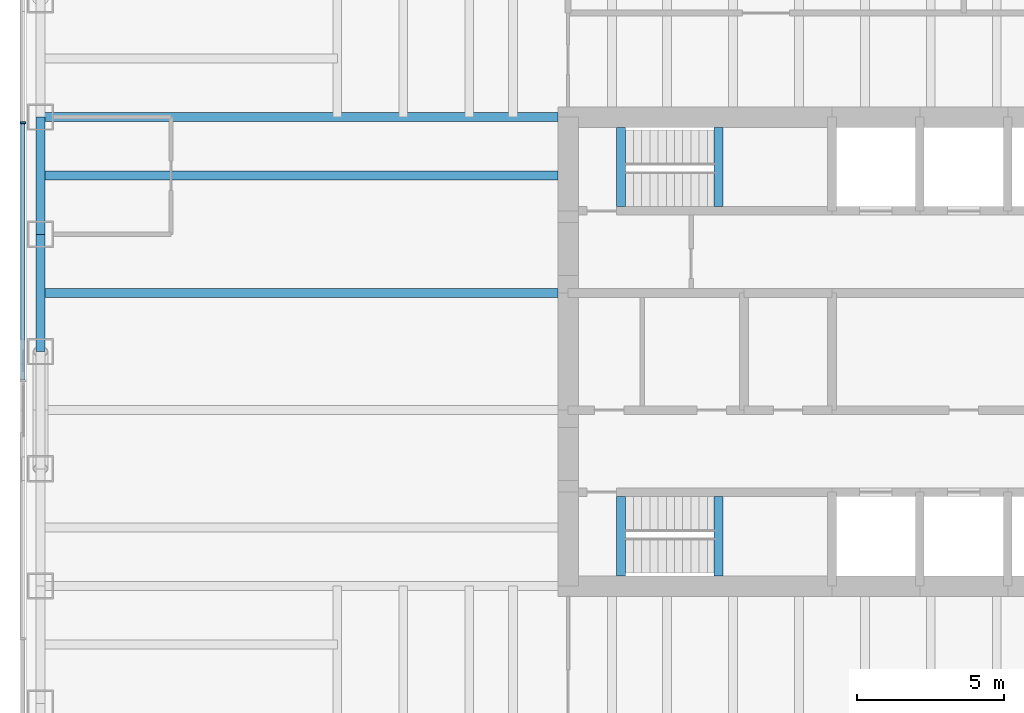
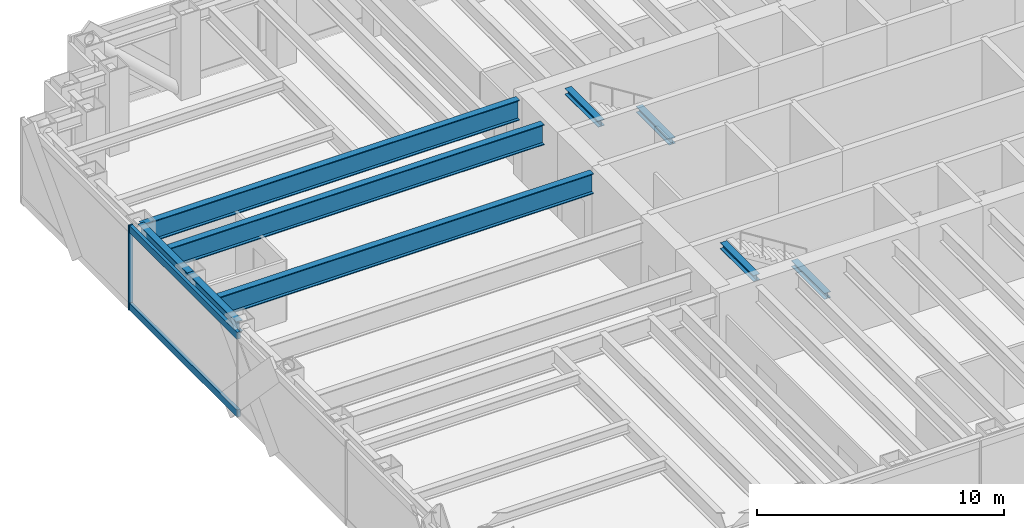
# One storey, part 3 of 15: 9 beams, 3 members, 1 element without a shape of its own.
"""IFC4 building model written with IfcOpenShell, lengths in metres."""

from ifc_helpers import new_model, si_unit, direction, frame, origin, origin_2d, place, context, subcontext, project, spatial, rectangle, i_section, extrude, material, material_profile, profile_set, type_object, element, aggregate, save


model = new_model("IFC4")

# Units and contexts
model_context = context("Model", 3, precision=1e-05, world=origin(), true_north=direction((0.0, 1.0)))
body_context = subcontext(model_context, "Body", "Model", "MODEL_VIEW")
ifc_project = project(units=[si_unit("LENGTHUNIT", "METRE"), si_unit("AREAUNIT", "SQUARE_METRE"), si_unit("VOLUMEUNIT", "CUBIC_METRE"), si_unit("PLANEANGLEUNIT", "RADIAN"), si_unit("MASSUNIT", "GRAM", prefix="KILO")], contexts=[model_context])

# Site, building, storey
site_placement = place(None, origin())
site = spatial("IfcSite", under=ifc_project, at=site_placement, CompositionType="ELEMENT")
building_placement = place(site_placement, origin())
building = spatial("IfcBuilding", under=site, at=building_placement, Name="Rheinbord Bourse Tower", CompositionType="ELEMENT")
storey_placement = place(building_placement, frame((0.0, 0.0, 329.89990234375)))
storey = spatial("IfcBuildingStorey", under=building, at=storey_placement, Name="L75", CompositionType="ELEMENT", Elevation=329.89990234375)

# Curtain wall, members
ifc_material_1 = material(Name="Dark glass and black aluminium", Category="aluminium")
curtain_wall_type = type_object("IfcCurtainWallType", Name="CW3 DARK GLASS CURTAIN WALL", PredefinedType="USERDEFINED", material=ifc_material_1)
curtain_wall_placement = place(storey_placement, origin())
curtain_wall = element("IfcCurtainWall", 1, at=curtain_wall_placement, inside=storey, type_object=curtain_wall_type, Name="Curtain wall CW3 W L75", ObjectType="UNITISED CURTAIN WALL", PredefinedType="USERDEFINED")
ifc_material_2 = material(Name="Black anodised aluminium", Category="aluminium")
ifc_material_profile_1 = material_profile(ifc_material_2, rectangle(XDim=0.199951171875, YDim=0.06494140625, at=origin_2d()), Name="CW3 MULLION 65x200")
ifc_profile_set_1 = profile_set([ifc_material_profile_1], Name="Black anodised aluminium")
member_type_1 = type_object("IfcMemberType", Name="CW3 BLACK MULLION", PredefinedType="MULLION", material=ifc_profile_set_1)
member_1_placement = place(storey_placement, frame((-0.60009765625, 31.800048828125, 0.0), z_axis=(0.0, 0.0, 1.0), x_axis=(1.0, 0.0, 0.0)))
member_1 = element("IfcMember", 2, at=member_1_placement, type_object=member_type_1, Name="CW3 mullion 2", PredefinedType="MULLION", context=body_context, shape_type="SweptSolid", body=[
    extrude(rectangle(XDim=0.199951171875, YDim=0.06494140625, at=origin_2d()), origin(), (0.0, 0.0, 1.0), 4.2001953125),
])
ifc_material_3 = material(Name="Black anodised aluminium", Category="aluminium")
ifc_material_profile_2 = material_profile(ifc_material_3, rectangle(XDim=0.14990234375, YDim=0.35009765625, at=origin_2d()), Name="CW3 TRANSOM 350x150")
ifc_profile_set_2 = profile_set([ifc_material_profile_2], Name="Black anodised aluminium")
member_type_2 = type_object("IfcMemberType", Name="CW3 BLACK TRANSOM", PredefinedType="USERDEFINED", material=ifc_profile_set_2)
member_2_placement = place(storey_placement, frame((-0.60009765625, 31.767578125, 0.175048828125), z_axis=(0.0, -1.0, 0.0), x_axis=(1.0, 0.0, 0.0)))
member_2 = element("IfcMember", 3, at=member_2_placement, type_object=member_type_2, Name="CW3 transom 2.1", ObjectType="TRANSOM", PredefinedType="USERDEFINED", context=body_context, shape_type="SweptSolid", body=[
    extrude(rectangle(XDim=0.14990234375, YDim=0.35009765625, at=origin_2d()), origin(), (0.0, 0.0, 1.0), 8.735107421875),
])
member_3_placement = place(storey_placement, frame((-0.60009765625, 31.767578125, 4.025146484375), z_axis=(0.0, -1.0, 0.0), x_axis=(1.0, 0.0, 0.0)))
member_3 = element("IfcMember", 4, at=member_3_placement, type_object=member_type_2, Name="CW3 transom 2.2", ObjectType="TRANSOM", PredefinedType="USERDEFINED", context=body_context, shape_type="SweptSolid", body=[
    extrude(rectangle(XDim=0.14990234375, YDim=0.35009765625, at=origin_2d()), origin(), (0.0, 0.0, 1.0), 8.735107421875),
])
aggregate(curtain_wall, [member_1, member_2, member_3])

# Beams
ifc_material_4 = material(Name="Steel S460", Category="steel")
ifc_material_profile_3 = material_profile(ifc_material_4, i_section(OverallWidth=0.302001953125, OverallDepth=1.008056640625, WebThickness=0.02099609375, FlangeThickness=0.0400390625, at=origin_2d()), Name="HEM 1000")
ifc_profile_set_3 = profile_set([ifc_material_profile_3], Name="Steel S460")
beam_type_1 = type_object("IfcBeamType", Name="END BEAM HEM 1000", PredefinedType="BEAM", material=ifc_profile_set_3)
for number, where, z_axis, x_axis, name in (
    (5, (0.0, 26.0, 3.446044921875), (1.0, 0.0, 0.0), (0.0, 1.0, 0.0), "End beam west 26 RF"),
    (6, (0.0, 30.0, 3.446044921875), (1.0, 0.0, 0.0), (0.0, 1.0, 0.0), "End beam west 30 RF"),
):
    element("IfcBeam", number, at=place(storey_placement, frame(where, z_axis=z_axis, x_axis=x_axis)), inside=storey, type_object=beam_type_1, Name=name, PredefinedType="BEAM", context=body_context, shape_type="SweptSolid", body=[
        extrude(i_section(OverallWidth=0.302001953125, OverallDepth=1.008056640625, WebThickness=0.02099609375, FlangeThickness=0.0400390625, at=origin_2d()), origin(), (0.0, 0.0, 1.0), 17.64990234375),
    ])
ifc_material_5 = material(Name="Steel S460", Category="steel")
ifc_material_profile_4 = material_profile(ifc_material_5, i_section(OverallWidth=0.302001953125, OverallDepth=1.008056640625, WebThickness=0.02099609375, FlangeThickness=0.0400390625, at=origin_2d()), Name="HEM 1000")
ifc_profile_set_4 = profile_set([ifc_material_profile_4], Name="Steel S460")
beam_type_2 = type_object("IfcBeamType", Name="GIRDER HEM 1000", PredefinedType="BEAM", material=ifc_profile_set_4)
beam_placement = place(storey_placement, frame((0.0, 32.0, 3.446044921875), z_axis=(1.0, 0.0, 0.0), x_axis=(0.0, 1.0, 0.0)))
element("IfcBeam", 7, at=beam_placement, inside=storey, type_object=beam_type_2, Name="Girder west 32 RF", PredefinedType="BEAM", context=body_context, shape_type="SweptSolid", body=[
    extrude(i_section(OverallWidth=0.302001953125, OverallDepth=1.008056640625, WebThickness=0.02099609375, FlangeThickness=0.0400390625, at=origin_2d()), origin(), (0.0, 0.0, 1.0), 17.64990234375),
])
ifc_material_6 = material(Name="Steel S460", Category="steel")
ifc_material_profile_5 = material_profile(ifc_material_6, i_section(OverallWidth=0.300048828125, OverallDepth=0.300048828125, WebThickness=0.010986328125, FlangeThickness=0.01904296875, at=origin_2d()), Name="HEB 300")
ifc_profile_set_5 = profile_set([ifc_material_profile_5], Name="Steel S460")
beam_type_3 = type_object("IfcBeamType", Name="LANDING TRIMMER HEB 300", PredefinedType="BEAM", material=ifc_profile_set_5)
for number, where, z_axis, x_axis, name in (
    (8, (23.1298828125, 16.35009765625, 1.75), (0.0, 1.0, 0.0), (-1.0, 0.0, 0.0), "Landing trimmer ST1 L75"),
    (9, (19.800048828125, 16.35009765625, 3.800048828125), (0.0, 1.0, 0.0), (-1.0, 0.0, 0.0), "Well trimmer ST1 under RF"),
    (10, (23.1298828125, 28.949951171875, 1.75), (0.0, 1.0, 0.0), (-1.0, 0.0, 0.0), "Landing trimmer ST2 L75"),
    (11, (19.800048828125, 28.949951171875, 3.800048828125), (0.0, 1.0, 0.0), (-1.0, 0.0, 0.0), "Well trimmer ST2 under RF"),
):
    element("IfcBeam", number, at=place(storey_placement, frame(where, z_axis=z_axis, x_axis=x_axis)), inside=storey, type_object=beam_type_3, Name=name, PredefinedType="BEAM", context=body_context, shape_type="SweptSolid", body=[
        extrude(i_section(OverallWidth=0.300048828125, OverallDepth=0.300048828125, WebThickness=0.010986328125, FlangeThickness=0.01904296875, at=origin_2d()), origin(), (0.0, 0.0, 1.0), 2.699951171875),
    ])
ifc_material_7 = material(Name="Steel S460", Category="steel")
ifc_material_profile_6 = material_profile(ifc_material_7, i_section(OverallWidth=0.300048828125, OverallDepth=0.550048828125, WebThickness=0.014892578125, FlangeThickness=0.029052734375, at=origin_2d()), Name="HEB 550")
ifc_profile_set_6 = profile_set([ifc_material_profile_6], Name="Steel S460")
beam_type_4 = type_object("IfcBeamType", Name="SPANDREL HEB 550", PredefinedType="SPANDREL", material=ifc_profile_set_6)
for number, where, z_axis, x_axis, name in (
    (12, (0.0, 32.0, 3.675048828125), (0.0, -1.0, 0.0), (1.0, 0.0, 0.0), "Spandrel W-32-W-28 under RF"),
    (13, (0.0, 28.0, 3.675048828125), (0.0, -1.0, 0.0), (1.0, 0.0, 0.0), "Spandrel W-28-W-24 under RF"),
):
    element("IfcBeam", number, at=place(storey_placement, frame(where, z_axis=z_axis, x_axis=x_axis)), inside=storey, type_object=beam_type_4, Name=name, PredefinedType="SPANDREL", context=body_context, shape_type="SweptSolid", body=[
        extrude(i_section(OverallWidth=0.300048828125, OverallDepth=0.550048828125, WebThickness=0.014892578125, FlangeThickness=0.029052734375, at=origin_2d()), origin(), (0.0, 0.0, 1.0), 4.0),
    ])

save(model, "model.ifc")
